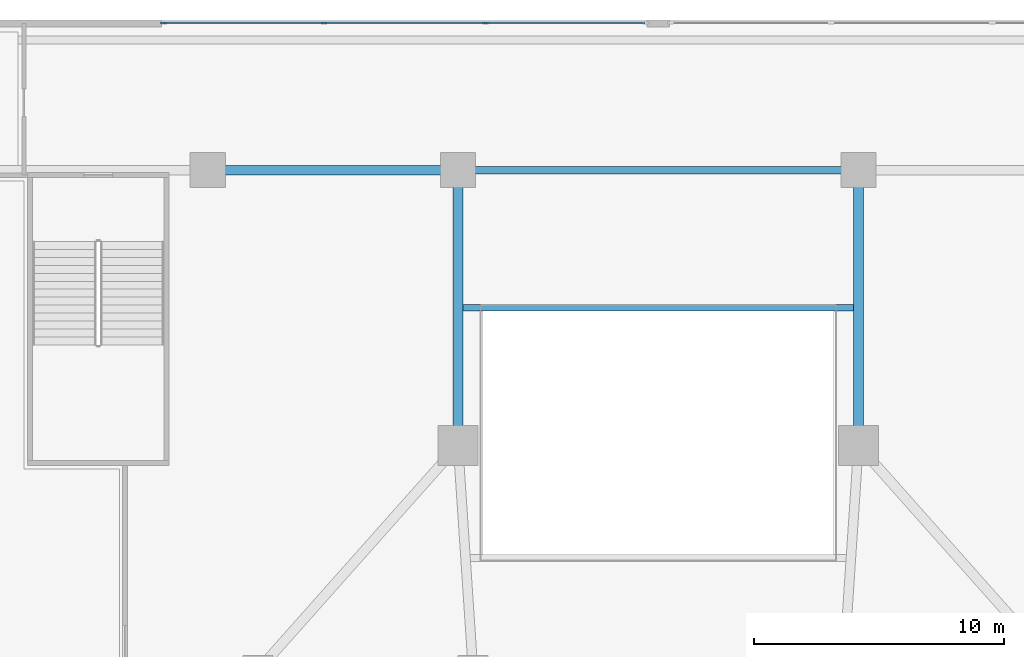
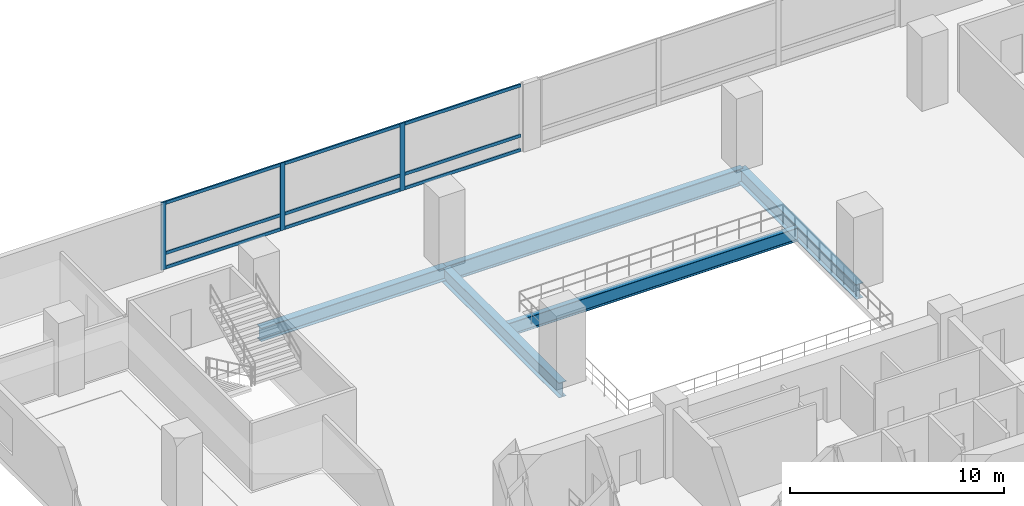
# One storey, part 2 of 15: 12 members, 5 beams, 1 element without a shape of its own.
"""IFC4 building model written with IfcOpenShell, lengths in metres."""

from ifc_helpers import new_model, si_unit, direction, frame, origin, origin_2d, place, context, subcontext, project, spatial, rectangle, i_section, extrude, material, material_profile, profile_set, type_object, element, aggregate, save


model = new_model("IFC4")

# Units and contexts
model_context = context("Model", 3, precision=1e-05, world=origin(), true_north=direction((0.0, 1.0)))
body_context = subcontext(model_context, "Body", "Model", "MODEL_VIEW")
ifc_project = project(units=[si_unit("LENGTHUNIT", "METRE"), si_unit("AREAUNIT", "SQUARE_METRE"), si_unit("VOLUMEUNIT", "CUBIC_METRE"), si_unit("PLANEANGLEUNIT", "RADIAN"), si_unit("MASSUNIT", "GRAM", prefix="KILO")], contexts=[model_context])

# Site, building, storey
site_placement = place(None, origin())
site = spatial("IfcSite", under=ifc_project, at=site_placement, CompositionType="ELEMENT")
building_placement = place(site_placement, origin())
building = spatial("IfcBuilding", under=site, at=building_placement, Name="Solmavex Isthmus Hotel", CompositionType="ELEMENT")
storey_placement = place(building_placement, frame((0.0, 0.0, 16.199951171875)))
storey = spatial("IfcBuildingStorey", under=building, at=storey_placement, Name="L04", CompositionType="ELEMENT", Elevation=16.199951171875)

# Beams
ifc_material_1 = material(Name="Steel ASTM A992 Grade 50", Category="steel")
ifc_material_profile_1 = material_profile(ifc_material_1, i_section(OverallWidth=0.2666015625, OverallDepth=0.76220703125, WebThickness=0.014404296875, FlangeThickness=0.021484375, FilletRadius=0.01904296875, at=origin_2d()), Name="W30X116")
ifc_profile_set_1 = profile_set([ifc_material_profile_1], Name="Steel ASTM A992 Grade 50")
beam_type_1 = type_object("IfcBeamType", Name="BM-BG-W30X116", PredefinedType="BEAM", material=ifc_profile_set_1)
beam_1_placement = place(storey_placement, frame((-7.81005859375, 12.0, -0.68115234375), z_axis=(1.0, 0.0, 0.0), x_axis=(0.0, 1.0, 0.0)))
element("IfcBeam", 1, at=beam_1_placement, inside=storey, type_object=beam_type_1, Name="Atrium Trimmer Girder L04-AT2", PredefinedType="BEAM", context=body_context, shape_type="SweptSolid", body=[
    extrude(i_section(OverallWidth=0.2666015625, OverallDepth=0.76220703125, WebThickness=0.014404296875, FlangeThickness=0.021484375, FilletRadius=0.01904296875, at=origin_2d()), origin(), (0.0, 0.0, 1.0), 15.6201171875),
])
ifc_material_profile_2 = material_profile(ifc_material_1, i_section(OverallWidth=0.380615234375, OverallDepth=0.773193359375, WebThickness=0.0166015625, FlangeThickness=0.027099609375, FilletRadius=0.01904296875, at=origin_2d()), Name="W30X173")
ifc_profile_set_2 = profile_set([ifc_material_profile_2], Name="Steel ASTM A992 Grade 50")
beam_type_2 = type_object("IfcBeamType", Name="BM-BG-W30X173", PredefinedType="BEAM", material=ifc_profile_set_2)
beam_2_placement = place(storey_placement, frame((-18.0, 17.5, -0.6865234375), z_axis=(1.0, 0.0, 0.0), x_axis=(0.0, 1.0, 0.0)))
element("IfcBeam", 2, at=beam_2_placement, inside=storey, type_object=beam_type_2, Name="Podium Primary Girder L04-G08", PredefinedType="BEAM", context=body_context, shape_type="SweptSolid", body=[
    extrude(i_section(OverallWidth=0.380615234375, OverallDepth=0.773193359375, WebThickness=0.0166015625, FlangeThickness=0.027099609375, FilletRadius=0.01904296875, at=origin_2d()), origin(), (0.0, 0.0, 1.0), 10.0),
])
ifc_material_profile_3 = material_profile(ifc_material_1, i_section(OverallWidth=0.39990234375, OverallDepth=0.85546875, WebThickness=0.018310546875, FlangeThickness=0.029296875, FilletRadius=0.020263671875, at=origin_2d()), Name="W33X201")
ifc_profile_set_3 = profile_set([ifc_material_profile_3], Name="Steel ASTM A992 Grade 50")
beam_type_3 = type_object("IfcBeamType", Name="BM-BG-W33X201", PredefinedType="BEAM", material=ifc_profile_set_3)
for number, where, z_axis, x_axis, name in (
    (3, (-8.0, 6.5, -0.727783203125), (0.0, 1.0, 0.0), (-1.0, 0.0, 0.0), "Podium Primary Girder L04-G29"),
    (4, (8.0, 6.5, -0.727783203125), (0.0, 1.0, 0.0), (-1.0, 0.0, 0.0), "Podium Primary Girder L04-G30"),
):
    element("IfcBeam", number, at=place(storey_placement, frame(where, z_axis=z_axis, x_axis=x_axis)), inside=storey, type_object=beam_type_3, Name=name, PredefinedType="BEAM", context=body_context, shape_type="SweptSolid", body=[
        extrude(i_section(OverallWidth=0.39990234375, OverallDepth=0.85546875, WebThickness=0.018310546875, FlangeThickness=0.029296875, FilletRadius=0.020263671875, at=origin_2d()), origin(), (0.0, 0.0, 1.0), 11.0),
    ])
ifc_material_profile_4 = material_profile(ifc_material_1, i_section(OverallWidth=0.307861328125, OverallDepth=0.94287109375, WebThickness=0.022216796875, FlangeThickness=0.039794921875, FilletRadius=0.024169921875, at=origin_2d()), Name="W36X232")
ifc_profile_set_4 = profile_set([ifc_material_profile_4], Name="Steel ASTM A992 Grade 50")
beam_type_4 = type_object("IfcBeamType", Name="BM-BG-W36X232", PredefinedType="BEAM", material=ifc_profile_set_4)
beam_3_placement = place(storey_placement, frame((-8.0, 17.5, -0.771240234375), z_axis=(1.0, 0.0, 0.0), x_axis=(0.0, 1.0, 0.0)))
element("IfcBeam", 5, at=beam_3_placement, inside=storey, type_object=beam_type_4, Name="Podium Primary Girder L04-G09", PredefinedType="BEAM", context=body_context, shape_type="SweptSolid", body=[
    extrude(i_section(OverallWidth=0.307861328125, OverallDepth=0.94287109375, WebThickness=0.022216796875, FlangeThickness=0.039794921875, FilletRadius=0.024169921875, at=origin_2d()), origin(), (0.0, 0.0, 1.0), 16.0),
])

# Curtain wall, members
ifc_material_2 = material(Name="Aluminium alloy 6063-T6", Category="aluminium")
curtain_wall_type = type_object("IfcCurtainWallType", Name="CW-SYS-01", PredefinedType="NOTDEFINED", material=ifc_material_2)
curtain_wall_placement = place(storey_placement, origin())
curtain_wall = element("IfcCurtainWall", 6, at=curtain_wall_placement, inside=storey, type_object=curtain_wall_type, Name="Stick Curtain Wall CWL-L04-NW", PredefinedType="NOTDEFINED")
ifc_material_profile_5 = material_profile(ifc_material_2, rectangle(XDim=0.080078125, YDim=0.25, at=origin_2d()), Name="CWM-80X250")
ifc_profile_set_5 = profile_set([ifc_material_profile_5], Name="Aluminium alloy 6063-T6")
member_type_1 = type_object("IfcMemberType", Name="CW-SYS-01-MUL", PredefinedType="MULLION", material=ifc_profile_set_5)
member_1_placement = place(storey_placement, frame((-19.760009765625, 23.3798828125, 0.0), z_axis=(0.0, 0.0, 1.0), x_axis=(0.0, 1.0, 0.0)))
member_1 = element("IfcMember", 7, at=member_1_placement, type_object=member_type_1, Name="CW-01 mullion 1", PredefinedType="MULLION", context=body_context, shape_type="SweptSolid", body=[
    extrude(rectangle(XDim=0.080078125, YDim=0.25, at=origin_2d()), origin(), (0.0, 0.0, 1.0), 3.85009765625),
])
member_2_placement = place(storey_placement, frame((-13.35009765625, 23.3798828125, 0.0), z_axis=(0.0, 0.0, 1.0), x_axis=(0.0, 1.0, 0.0)))
member_2 = element("IfcMember", 8, at=member_2_placement, type_object=member_type_1, Name="CW-01 mullion 2", PredefinedType="MULLION", context=body_context, shape_type="SweptSolid", body=[
    extrude(rectangle(XDim=0.080078125, YDim=0.25, at=origin_2d()), origin(), (0.0, 0.0, 1.0), 3.85009765625),
])
member_3_placement = place(storey_placement, frame((-6.89990234375, 23.3798828125, 0.0), z_axis=(0.0, 0.0, 1.0), x_axis=(0.0, 1.0, 0.0)))
member_3 = element("IfcMember", 9, at=member_3_placement, type_object=member_type_1, Name="CW-01 mullion 3", PredefinedType="MULLION", context=body_context, shape_type="SweptSolid", body=[
    extrude(rectangle(XDim=0.080078125, YDim=0.25, at=origin_2d()), origin(), (0.0, 0.0, 1.0), 3.85009765625),
])
ifc_material_profile_6 = material_profile(ifc_material_2, rectangle(XDim=0.080078125, YDim=0.179931640625, at=origin_2d()), Name="CWT-80X180")
ifc_profile_set_6 = profile_set([ifc_material_profile_6], Name="Aluminium alloy 6063-T6")
member_type_2 = type_object("IfcMemberType", Name="CW-SYS-01-TRN", PredefinedType="USERDEFINED", material=ifc_profile_set_6)
member_4_placement = place(storey_placement, frame((-19.719970703125, 23.3798828125, 0.090087890625), z_axis=(1.0, 0.0, 0.0), x_axis=(0.0, 1.0, 0.0)))
member_4 = element("IfcMember", 10, at=member_4_placement, type_object=member_type_2, Name="CW-01 transom 1.1", ObjectType="TRANSOM", PredefinedType="USERDEFINED", context=body_context, shape_type="SweptSolid", body=[
    extrude(rectangle(XDim=0.080078125, YDim=0.179931640625, at=origin_2d()), origin(), (0.0, 0.0, 1.0), 6.330078125),
])
member_5_placement = place(storey_placement, frame((-19.719970703125, 23.3798828125, 0.900146484375), z_axis=(1.0, 0.0, 0.0), x_axis=(0.0, 1.0, 0.0)))
member_5 = element("IfcMember", 11, at=member_5_placement, type_object=member_type_2, Name="CW-01 transom 1.2", ObjectType="TRANSOM", PredefinedType="USERDEFINED", context=body_context, shape_type="SweptSolid", body=[
    extrude(rectangle(XDim=0.080078125, YDim=0.179931640625, at=origin_2d()), origin(), (0.0, 0.0, 1.0), 6.330078125),
])
member_6_placement = place(storey_placement, frame((-19.719970703125, 23.3798828125, 3.760009765625), z_axis=(1.0, 0.0, 0.0), x_axis=(0.0, 1.0, 0.0)))
member_6 = element("IfcMember", 12, at=member_6_placement, type_object=member_type_2, Name="CW-01 transom 1.3", ObjectType="TRANSOM", PredefinedType="USERDEFINED", context=body_context, shape_type="SweptSolid", body=[
    extrude(rectangle(XDim=0.080078125, YDim=0.179931640625, at=origin_2d()), origin(), (0.0, 0.0, 1.0), 6.330078125),
])
member_7_placement = place(storey_placement, frame((-13.31005859375, 23.3798828125, 0.090087890625), z_axis=(1.0, 0.0, 0.0), x_axis=(0.0, 1.0, 0.0)))
member_7 = element("IfcMember", 13, at=member_7_placement, type_object=member_type_2, Name="CW-01 transom 2.1", ObjectType="TRANSOM", PredefinedType="USERDEFINED", context=body_context, shape_type="SweptSolid", body=[
    extrude(rectangle(XDim=0.080078125, YDim=0.179931640625, at=origin_2d()), origin(), (0.0, 0.0, 1.0), 6.3701171875),
])
member_8_placement = place(storey_placement, frame((-13.31005859375, 23.3798828125, 0.900146484375), z_axis=(1.0, 0.0, 0.0), x_axis=(0.0, 1.0, 0.0)))
member_8 = element("IfcMember", 14, at=member_8_placement, type_object=member_type_2, Name="CW-01 transom 2.2", ObjectType="TRANSOM", PredefinedType="USERDEFINED", context=body_context, shape_type="SweptSolid", body=[
    extrude(rectangle(XDim=0.080078125, YDim=0.179931640625, at=origin_2d()), origin(), (0.0, 0.0, 1.0), 6.3701171875),
])
member_9_placement = place(storey_placement, frame((-13.31005859375, 23.3798828125, 3.760009765625), z_axis=(1.0, 0.0, 0.0), x_axis=(0.0, 1.0, 0.0)))
member_9 = element("IfcMember", 15, at=member_9_placement, type_object=member_type_2, Name="CW-01 transom 2.3", ObjectType="TRANSOM", PredefinedType="USERDEFINED", context=body_context, shape_type="SweptSolid", body=[
    extrude(rectangle(XDim=0.080078125, YDim=0.179931640625, at=origin_2d()), origin(), (0.0, 0.0, 1.0), 6.3701171875),
])
member_10_placement = place(storey_placement, frame((-6.860107421875, 23.3798828125, 0.090087890625), z_axis=(1.0, 0.0, 0.0), x_axis=(0.0, 1.0, 0.0)))
member_10 = element("IfcMember", 16, at=member_10_placement, type_object=member_type_2, Name="CW-01 transom 3.1", ObjectType="TRANSOM", PredefinedType="USERDEFINED", context=body_context, shape_type="SweptSolid", body=[
    extrude(rectangle(XDim=0.080078125, YDim=0.179931640625, at=origin_2d()), origin(), (0.0, 0.0, 1.0), 6.330078125),
])
member_11_placement = place(storey_placement, frame((-6.860107421875, 23.3798828125, 0.900146484375), z_axis=(1.0, 0.0, 0.0), x_axis=(0.0, 1.0, 0.0)))
member_11 = element("IfcMember", 17, at=member_11_placement, type_object=member_type_2, Name="CW-01 transom 3.2", ObjectType="TRANSOM", PredefinedType="USERDEFINED", context=body_context, shape_type="SweptSolid", body=[
    extrude(rectangle(XDim=0.080078125, YDim=0.179931640625, at=origin_2d()), origin(), (0.0, 0.0, 1.0), 6.330078125),
])
member_12_placement = place(storey_placement, frame((-6.860107421875, 23.3798828125, 3.760009765625), z_axis=(1.0, 0.0, 0.0), x_axis=(0.0, 1.0, 0.0)))
member_12 = element("IfcMember", 18, at=member_12_placement, type_object=member_type_2, Name="CW-01 transom 3.3", ObjectType="TRANSOM", PredefinedType="USERDEFINED", context=body_context, shape_type="SweptSolid", body=[
    extrude(rectangle(XDim=0.080078125, YDim=0.179931640625, at=origin_2d()), origin(), (0.0, 0.0, 1.0), 6.330078125),
])
aggregate(curtain_wall, [member_1, member_2, member_3, member_4, member_5, member_6, member_7, member_8, member_9, member_10, member_11, member_12])

save(model, "model.ifc")
